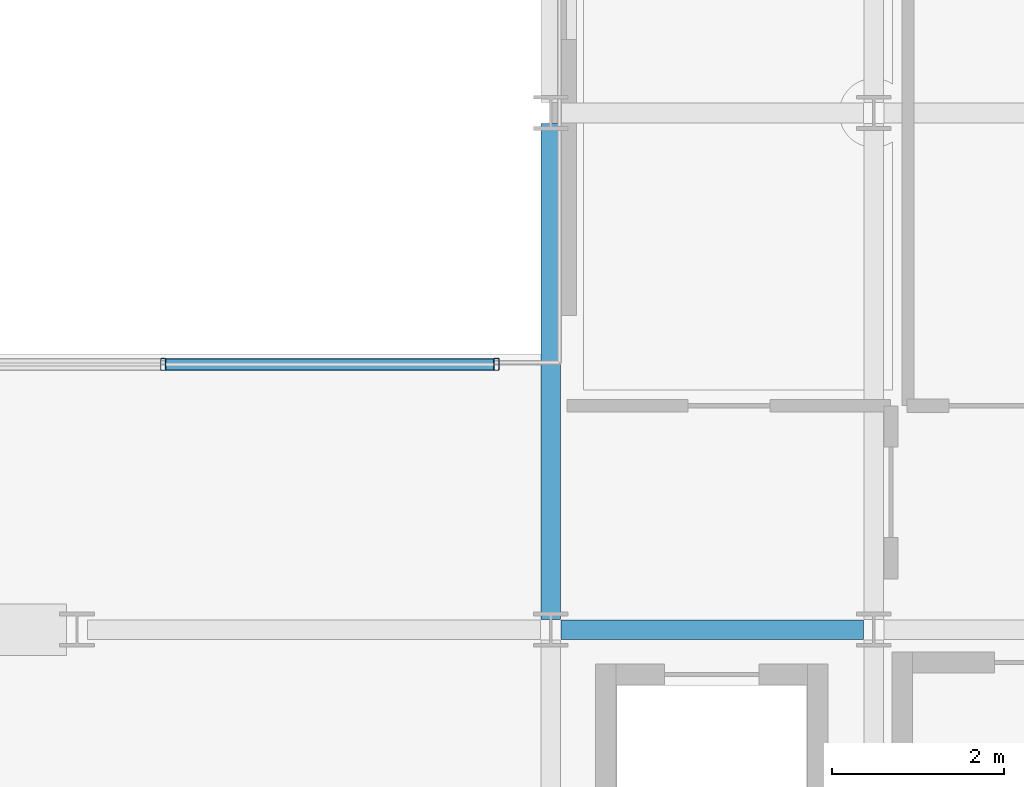
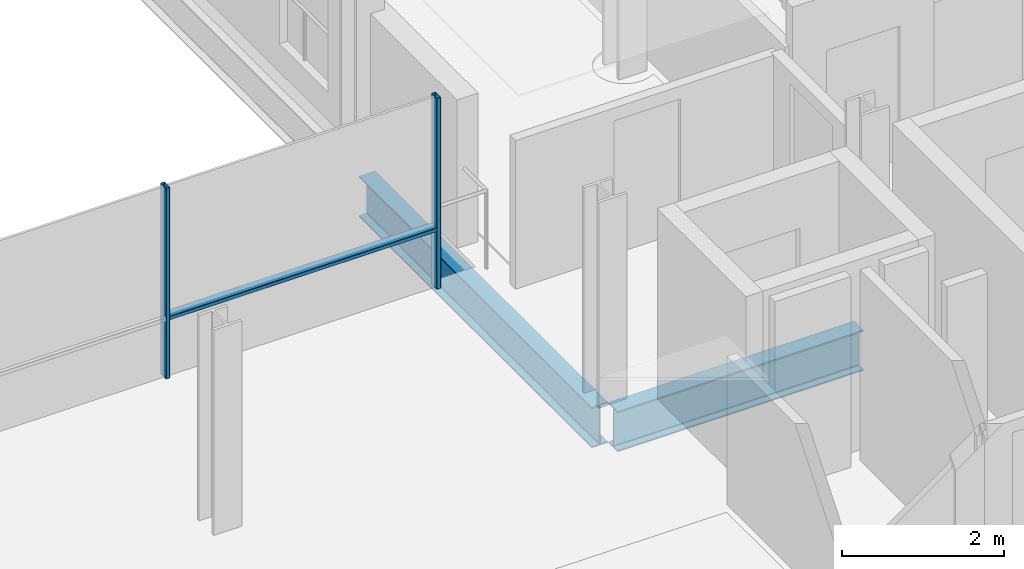
# One storey, part 15 of 40: 3 members, 2 beams, 1 element without a shape of its own.
"""IFC4 building model written with IfcOpenShell, lengths in metres."""

from ifc_helpers import new_model, si_unit, direction, frame, origin, origin_2d, place, context, subcontext, project, spatial, hollow_rectangle, i_section, extrude, material, layer, layer_set, material_profile, profile_set, type_object, element, aggregate, save


model = new_model("IFC4")

# Units and contexts
model_context = context("Model", 3, precision=1e-05, world=origin(), true_north=direction((0.0, 1.0)))
body_context = subcontext(model_context, "Body", "Model", "MODEL_VIEW")
ifc_project = project(units=[si_unit("LENGTHUNIT", "METRE"), si_unit("AREAUNIT", "SQUARE_METRE"), si_unit("VOLUMEUNIT", "CUBIC_METRE"), si_unit("PLANEANGLEUNIT", "RADIAN"), si_unit("MASSUNIT", "GRAM", prefix="KILO")], contexts=[model_context])

# Site, building, storey
site_placement = place(None, origin())
site = spatial("IfcSite", under=ifc_project, at=site_placement, CompositionType="ELEMENT")
building_placement = place(site_placement, origin())
building = spatial("IfcBuilding", under=site, at=building_placement, Name="Brevholm Reach", CompositionType="ELEMENT")
storey_placement = place(building_placement, frame((0.0, 0.0, 160.39990234375)))
storey = spatial("IfcBuildingStorey", under=building, at=storey_placement, Name="L48", CompositionType="ELEMENT", Elevation=160.39990234375)

# Beams
ifc_material_1 = material(Name="Structural Steel S355J2", Category="steel")
ifc_material_profile_1 = material_profile(ifc_material_1, i_section(OverallWidth=0.22900390625, OverallDepth=0.6123046875, WebThickness=0.011962890625, FlangeThickness=0.01953125, FilletRadius=0.0126953125, at=origin_2d()), Name="UKB 610x229x125")
ifc_profile_set_1 = profile_set([ifc_material_profile_1], Name="Structural Steel S355J2")
beam_type = type_object("IfcBeamType", Name="BM-SP610", PredefinedType="SPANDREL", material=ifc_profile_set_1)
beam_1_placement = place(storey_placement, frame((38.3701171875, 10.0, -0.526123046875), z_axis=(1.0, 0.0, 0.0), x_axis=(0.0, 1.0, 0.0)))
element("IfcBeam", 1, at=beam_1_placement, inside=storey, type_object=beam_type, Name="L48 SP-01 Framing Beam", PredefinedType="SPANDREL", context=body_context, shape_type="SweptSolid", body=[
    extrude(i_section(OverallWidth=0.22900390625, OverallDepth=0.6123046875, WebThickness=0.011962890625, FlangeThickness=0.01953125, FilletRadius=0.0126953125, at=origin_2d()), origin(), (0.0, 0.0, 1.0), 3.509765625),
])
beam_2_placement = place(storey_placement, frame((38.25, 10.1201171875, -0.526123046875), z_axis=(0.0, 1.0, 0.0), x_axis=(-1.0, 0.0, 0.0)))
element("IfcBeam", 2, at=beam_2_placement, inside=storey, type_object=beam_type, Name="L48 SP-01 Framing Beam", PredefinedType="SPANDREL", context=body_context, shape_type="SweptSolid", body=[
    extrude(i_section(OverallWidth=0.22900390625, OverallDepth=0.6123046875, WebThickness=0.011962890625, FlangeThickness=0.01953125, FilletRadius=0.0126953125, at=origin_2d()), origin(), (0.0, 0.0, 1.0), 5.759765625),
])

# Curtain wall, members
ifc_material_2 = material(Name="Dark Anodised Aluminium 6063-T6 and Solar-Control Glass", Category="aluminium")
ifc_layer = layer(ifc_material_2, 0.139892578125)
ifc_layer_set = layer_set([ifc_layer], Name="Dark Anodised Aluminium 6063-T6 and Solar-Control Glass")
curtain_wall_type = type_object("IfcCurtainWallType", Name="CW-02", PredefinedType="NOTDEFINED", material=ifc_layer_set)
curtain_wall_placement = place(storey_placement, origin())
curtain_wall = element("IfcCurtainWall", 3, at=curtain_wall_placement, inside=storey, type_object=curtain_wall_type, Name="L48 Curtain Wall CW-02", PredefinedType="NOTDEFINED")
ifc_material_3 = material(Name="Dark Anodised Aluminium 6063-T6", Category="aluminium")
ifc_material_profile_2 = material_profile(ifc_material_3, hollow_rectangle(XDim=0.06005859375, YDim=0.139892578125, WallThickness=0.0048828125, InnerFilletRadius=0.0048828125, OuterFilletRadius=0.010009765625, at=origin_2d()), Name="RHS 140x60x5")
ifc_profile_set_2 = profile_set([ifc_material_profile_2], Name="Dark Anodised Aluminium 6063-T6")
member_type_1 = type_object("IfcMemberType", Name="CWM-140", PredefinedType="MULLION", material=ifc_profile_set_2)
member_1_placement = place(storey_placement, frame((33.75, 13.080078125, 0.0), z_axis=(0.0, 0.0, 1.0), x_axis=(1.0, 0.0, 0.0)))
member_1 = element("IfcMember", 4, at=member_1_placement, type_object=member_type_1, Name="CM-140 Mullion 4", PredefinedType="MULLION", context=body_context, shape_type="SweptSolid", body=[
    extrude(hollow_rectangle(XDim=0.06005859375, YDim=0.139892578125, WallThickness=0.0048828125, InnerFilletRadius=0.0048828125, OuterFilletRadius=0.010009765625, at=origin_2d()), origin(), (0.0, 0.0, 1.0), 2.880126953125),
])
member_2_placement = place(storey_placement, frame((37.6201171875, 13.080078125, 0.0), z_axis=(0.0, 0.0, 1.0), x_axis=(1.0, 0.0, 0.0)))
member_2 = element("IfcMember", 5, at=member_2_placement, type_object=member_type_1, Name="CM-140 Mullion 5", PredefinedType="MULLION", context=body_context, shape_type="SweptSolid", body=[
    extrude(hollow_rectangle(XDim=0.06005859375, YDim=0.139892578125, WallThickness=0.0048828125, InnerFilletRadius=0.0048828125, OuterFilletRadius=0.010009765625, at=origin_2d()), origin(), (0.0, 0.0, 1.0), 2.880126953125),
])
ifc_material_4 = material(Name="Dark Anodised Aluminium 6063-T6", Category="aluminium")
ifc_material_profile_3 = material_profile(ifc_material_4, hollow_rectangle(XDim=0.06005859375, YDim=0.139892578125, WallThickness=0.0048828125, InnerFilletRadius=0.0048828125, OuterFilletRadius=0.010009765625, at=origin_2d()), Name="RHS 140x60x5")
ifc_profile_set_3 = profile_set([ifc_material_profile_3], Name="Dark Anodised Aluminium 6063-T6")
member_type_2 = type_object("IfcMemberType", Name="CWT-140", PredefinedType="NOTDEFINED", material=ifc_profile_set_3)
member_3_placement = place(storey_placement, frame((33.780029296875, 13.080078125, 0.900146484375), z_axis=(1.0, 0.0, 0.0), x_axis=(0.0, 0.0, 1.0)))
member_3 = element("IfcMember", 6, at=member_3_placement, type_object=member_type_2, Name="CT-140 Transom 4.1", ObjectType="TRANSOM", PredefinedType="USERDEFINED", context=body_context, shape_type="SweptSolid", body=[
    extrude(hollow_rectangle(XDim=0.06005859375, YDim=0.139892578125, WallThickness=0.0048828125, InnerFilletRadius=0.0048828125, OuterFilletRadius=0.010009765625, at=origin_2d()), origin(), (0.0, 0.0, 1.0), 3.81005859375),
])
aggregate(curtain_wall, [member_1, member_2, member_3])

save(model, "model.ifc")
